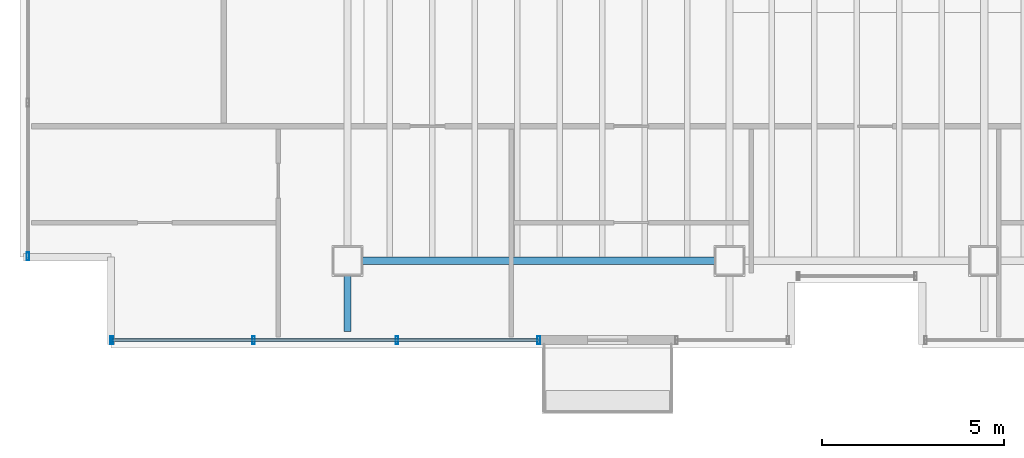
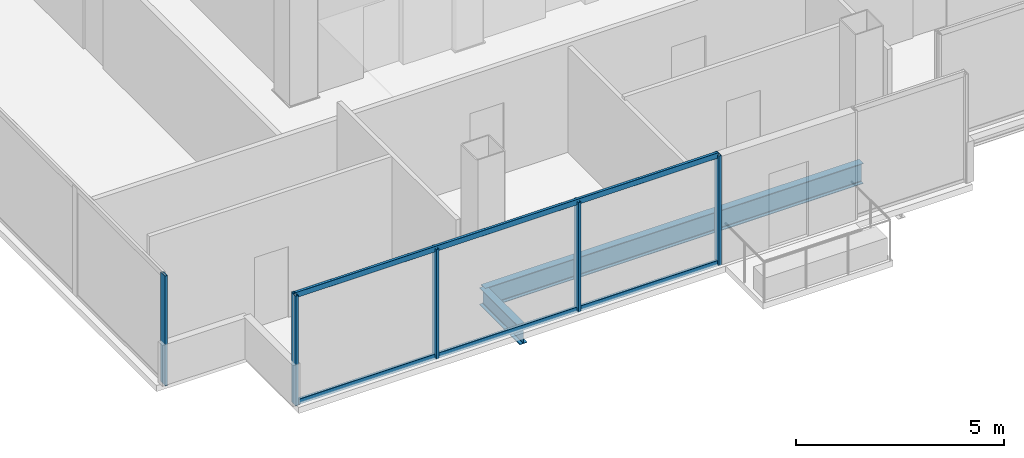
# One storey, part 2 of 16: 7 members, 2 beams, 2 elements without a shape of their own.
"""IFC4 building model written with IfcOpenShell, lengths in metres."""

from ifc_helpers import new_model, si_unit, direction, frame, origin, origin_2d, place, context, subcontext, project, spatial, hollow_rectangle, i_section, extrude, material, material_profile, profile_set, type_object, element, aggregate, save


model = new_model("IFC4")

# Units and contexts
model_context = context("Model", 3, precision=1e-05, world=origin(), true_north=direction((0.0, 1.0)))
body_context = subcontext(model_context, "Body", "Model", "MODEL_VIEW")
ifc_project = project(units=[si_unit("LENGTHUNIT", "METRE"), si_unit("AREAUNIT", "SQUARE_METRE"), si_unit("VOLUMEUNIT", "CUBIC_METRE"), si_unit("PLANEANGLEUNIT", "RADIAN"), si_unit("MASSUNIT", "GRAM", prefix="KILO")], contexts=[model_context])

# Site, building, storey
site_placement = place(None, origin())
site = spatial("IfcSite", under=ifc_project, at=site_placement, CompositionType="ELEMENT")
building_placement = place(site_placement, origin())
building = spatial("IfcBuilding", under=site, at=building_placement, Name="Noeulbin Bourse Tower", CompositionType="ELEMENT")
storey_placement = place(building_placement, frame((0.0, 0.0, 269.60009765625)))
storey = spatial("IfcBuildingStorey", under=building, at=storey_placement, Name="L67", CompositionType="ELEMENT", Elevation=269.60009765625)

# Beams
ifc_material_1 = material(Name="Steel S355", Category="steel")
ifc_material_profile_1 = material_profile(ifc_material_1, i_section(OverallWidth=0.199951171875, OverallDepth=0.5, WebThickness=0.010009765625, FlangeThickness=0.01611328125, FilletRadius=0.02001953125, at=origin_2d()), Name="H-500x200x10x16", Category="LoadBearing")
ifc_profile_set_1 = profile_set([ifc_material_profile_1], Name="Steel S355")
beam_type_1 = type_object("IfcBeamType", Name="BM-GRD-500", PredefinedType="USERDEFINED", material=ifc_profile_set_1)
beam_1_placement = place(storey_placement, frame((13.5, 18.050048828125, -0.43017578125), z_axis=(0.0, 1.0, 0.0), x_axis=(-1.0, 0.0, 0.0)))
element("IfcBeam", 1, at=beam_1_placement, inside=storey, type_object=beam_type_1, Name="Tower Primary Girder NS L67-1.1", ObjectType="GIRDER", PredefinedType="USERDEFINED", context=body_context, shape_type="SweptSolid", body=[
    extrude(i_section(OverallWidth=0.199951171875, OverallDepth=0.5, WebThickness=0.010009765625, FlangeThickness=0.01611328125, FilletRadius=0.02001953125, at=origin_2d()), origin(), (0.0, 0.0, 1.0), 1.949951171875),
])
ifc_material_profile_2 = material_profile(ifc_material_1, i_section(OverallWidth=0.199951171875, OverallDepth=0.60009765625, WebThickness=0.010986328125, FlangeThickness=0.01708984375, FilletRadius=0.02197265625, at=origin_2d()), Name="H-600x200x11x17", Category="LoadBearing")
ifc_profile_set_2 = profile_set([ifc_material_profile_2], Name="Steel S355")
beam_type_2 = type_object("IfcBeamType", Name="BM-GRD-600", PredefinedType="USERDEFINED", material=ifc_profile_set_2)
beam_2_placement = place(storey_placement, frame((13.5, 20.0, -0.47998046875), z_axis=(1.0, 0.0, 0.0), x_axis=(0.0, 1.0, 0.0)))
element("IfcBeam", 2, at=beam_2_placement, inside=storey, type_object=beam_type_2, Name="Tower Primary Girder EW L67-1.1", ObjectType="GIRDER", PredefinedType="USERDEFINED", context=body_context, shape_type="SweptSolid", body=[
    extrude(i_section(OverallWidth=0.199951171875, OverallDepth=0.60009765625, WebThickness=0.010986328125, FlangeThickness=0.01708984375, FilletRadius=0.02197265625, at=origin_2d()), origin(), (0.0, 0.0, 1.0), 10.5),
])

# Curtain wall, members
ifc_material_2 = material(Name="High-Selectivity Low-Iron Glazing", Category="glass")
curtain_wall_type = type_object("IfcCurtainWallType", Name="CW-SYS-4", PredefinedType="NOTDEFINED", material=ifc_material_2)
curtain_wall_1_placement = place(storey_placement, origin())
curtain_wall_1 = element("IfcCurtainWall", 3, at=curtain_wall_1_placement, inside=storey, type_object=curtain_wall_type, Name="Unitised Curtain Wall CW-L67-S1", PredefinedType="NOTDEFINED")
ifc_material_3 = material(Name="Anodised Aluminium 6063-T6", Category="aluminium")
ifc_material_profile_3 = material_profile(ifc_material_3, hollow_rectangle(XDim=0.074951171875, YDim=0.219970703125, WallThickness=0.0048828125, InnerFilletRadius=0.00244140625, OuterFilletRadius=0.0048828125, at=origin_2d()), Name="ALU-MULL-75x220x5", Category="LoadBearing")
ifc_profile_set_3 = profile_set([ifc_material_profile_3], Name="Anodised Aluminium 6063-T6")
member_type_1 = type_object("IfcMemberType", Name="CW-SYS-4-MUL", PredefinedType="MULLION", material=ifc_profile_set_3)
member_1_placement = place(storey_placement, frame((7.02001953125, 17.820068359375, -0.02001953125), z_axis=(0.0, 0.0, 1.0), x_axis=(1.0, 0.0, 0.0)))
member_1 = element("IfcMember", 4, at=member_1_placement, type_object=member_type_1, Name="Curtain Wall Mullion CW-L67-S1-M00", PredefinedType="MULLION", context=body_context, shape_type="SweptSolid", body=[
    extrude(hollow_rectangle(XDim=0.074951171875, YDim=0.219970703125, WallThickness=0.0048828125, InnerFilletRadius=0.00244140625, OuterFilletRadius=0.0048828125, at=origin_2d()), origin(), (0.0, 0.0, 1.0), 3.219970703125),
])
member_2_placement = place(storey_placement, frame((10.919921875, 17.820068359375, -0.02001953125), z_axis=(0.0, 0.0, 1.0), x_axis=(1.0, 0.0, 0.0)))
member_2 = element("IfcMember", 5, at=member_2_placement, type_object=member_type_1, Name="Curtain Wall Mullion CW-L67-S1-M01", PredefinedType="MULLION", context=body_context, shape_type="SweptSolid", body=[
    extrude(hollow_rectangle(XDim=0.074951171875, YDim=0.219970703125, WallThickness=0.0048828125, InnerFilletRadius=0.00244140625, OuterFilletRadius=0.0048828125, at=origin_2d()), origin(), (0.0, 0.0, 1.0), 3.219970703125),
])
member_3_placement = place(storey_placement, frame((14.860107421875, 17.820068359375, -0.02001953125), z_axis=(0.0, 0.0, 1.0), x_axis=(1.0, 0.0, 0.0)))
member_3 = element("IfcMember", 6, at=member_3_placement, type_object=member_type_1, Name="Curtain Wall Mullion CW-L67-S1-M02", PredefinedType="MULLION", context=body_context, shape_type="SweptSolid", body=[
    extrude(hollow_rectangle(XDim=0.074951171875, YDim=0.219970703125, WallThickness=0.0048828125, InnerFilletRadius=0.00244140625, OuterFilletRadius=0.0048828125, at=origin_2d()), origin(), (0.0, 0.0, 1.0), 3.219970703125),
])
member_4_placement = place(storey_placement, frame((18.760009765625, 17.820068359375, -0.02001953125), z_axis=(0.0, 0.0, 1.0), x_axis=(1.0, 0.0, 0.0)))
member_4 = element("IfcMember", 7, at=member_4_placement, type_object=member_type_1, Name="Curtain Wall Mullion CW-L67-S1-M03", PredefinedType="MULLION", context=body_context, shape_type="SweptSolid", body=[
    extrude(hollow_rectangle(XDim=0.074951171875, YDim=0.219970703125, WallThickness=0.0048828125, InnerFilletRadius=0.00244140625, OuterFilletRadius=0.0048828125, at=origin_2d()), origin(), (0.0, 0.0, 1.0), 3.219970703125),
])

# Curtain wall, member
curtain_wall_2_placement = place(storey_placement, origin())
curtain_wall_2 = element("IfcCurtainWall", 8, at=curtain_wall_2_placement, inside=storey, type_object=curtain_wall_type, Name="Unitised Curtain Wall CW-L67-W-S1", PredefinedType="NOTDEFINED")
member_5_placement = place(storey_placement, frame((4.719970703125, 20.1201171875, -0.02001953125), z_axis=(0.0, 0.0, 1.0), x_axis=(1.0, 0.0, 0.0)))
member_5 = element("IfcMember", 9, at=member_5_placement, type_object=member_type_1, Name="Curtain Wall Mullion CW-L67-W-S1-M00", PredefinedType="MULLION", context=body_context, shape_type="SweptSolid", body=[
    extrude(hollow_rectangle(XDim=0.074951171875, YDim=0.219970703125, WallThickness=0.0048828125, InnerFilletRadius=0.00244140625, OuterFilletRadius=0.0048828125, at=origin_2d()), origin(), (0.0, 0.0, 1.0), 3.219970703125),
])
aggregate(curtain_wall_2, [member_5])

# Member
ifc_material_profile_4 = material_profile(ifc_material_3, hollow_rectangle(XDim=0.074951171875, YDim=0.159912109375, WallThickness=0.0048828125, InnerFilletRadius=0.00244140625, OuterFilletRadius=0.0048828125, at=origin_2d()), Name="ALU-TRAN-75x160x5", Category="LoadBearing")
ifc_profile_set_4 = profile_set([ifc_material_profile_4], Name="Anodised Aluminium 6063-T6")
member_type_2 = type_object("IfcMemberType", Name="CW-SYS-4-TRN", PredefinedType="USERDEFINED", material=ifc_profile_set_4)
member_6_placement = place(storey_placement, frame((7.030029296875, 17.820068359375, 0.010009765625), z_axis=(1.0, 0.0, 0.0), x_axis=(0.0, 1.0, 0.0)))
member_6 = element("IfcMember", 10, at=member_6_placement, type_object=member_type_2, Name="Curtain Wall Transom CW-L67-S1-T00", ObjectType="TRANSOM", PredefinedType="USERDEFINED", context=body_context, shape_type="SweptSolid", body=[
    extrude(hollow_rectangle(XDim=0.074951171875, YDim=0.159912109375, WallThickness=0.0048828125, InnerFilletRadius=0.00244140625, OuterFilletRadius=0.0048828125, at=origin_2d()), origin(), (0.0, 0.0, 1.0), 11.719970703125),
])

member_7_placement = place(storey_placement, frame((7.030029296875, 17.820068359375, 3.169921875), z_axis=(1.0, 0.0, 0.0), x_axis=(0.0, 1.0, 0.0)))
member_7 = element("IfcMember", 11, at=member_7_placement, type_object=member_type_2, Name="Curtain Wall Transom CW-L67-S1-T01", ObjectType="TRANSOM", PredefinedType="USERDEFINED", context=body_context, shape_type="SweptSolid", body=[
    extrude(hollow_rectangle(XDim=0.074951171875, YDim=0.159912109375, WallThickness=0.0048828125, InnerFilletRadius=0.00244140625, OuterFilletRadius=0.0048828125, at=origin_2d()), origin(), (0.0, 0.0, 1.0), 11.719970703125),
])

aggregate(curtain_wall_1, [member_1, member_2, member_3, member_4, member_6, member_7])

save(model, "model.ifc")
